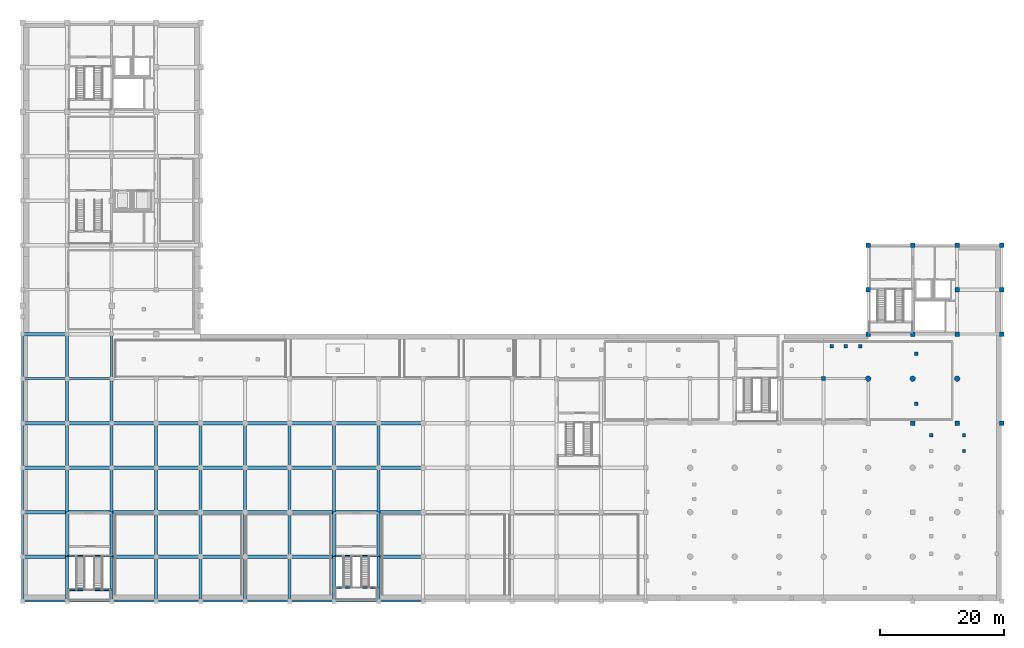
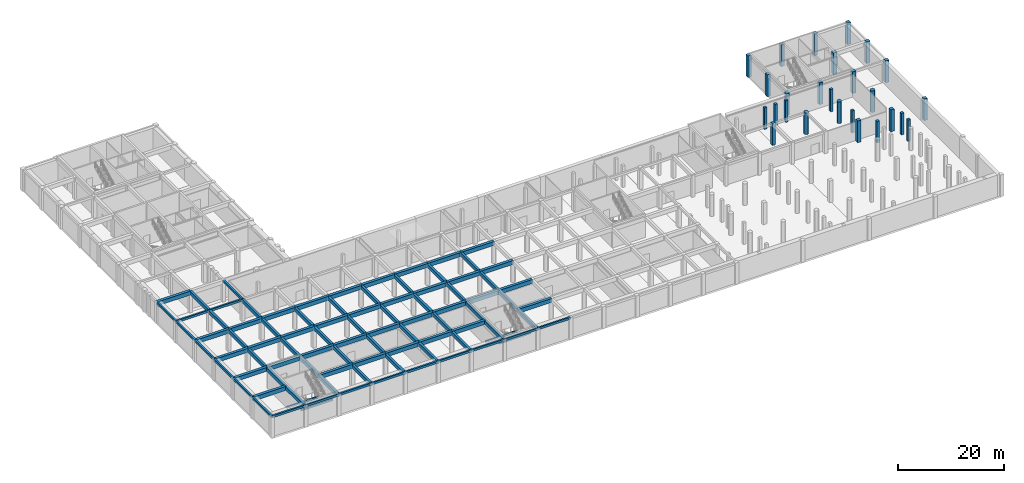
# One storey, part 2 of 15: 92 beams, 26 columns.
"""IFC4 building model written with IfcOpenShell, lengths in metres."""

from ifc_helpers import new_model, si_unit, direction, frame, origin, origin_2d, place, context, subcontext, project, spatial, rectangle, circle, extrude, material, material_profile, profile_set, type_object, element, save


model = new_model("IFC4")

# Units and contexts
model_context = context("Model", 3, precision=1e-05, world=origin(), true_north=direction((0.0, 1.0)))
body_context = subcontext(model_context, "Body", "Model", "MODEL_VIEW")
ifc_project = project(units=[si_unit("LENGTHUNIT", "METRE"), si_unit("AREAUNIT", "SQUARE_METRE"), si_unit("VOLUMEUNIT", "CUBIC_METRE"), si_unit("PLANEANGLEUNIT", "RADIAN"), si_unit("MASSUNIT", "GRAM", prefix="KILO")], contexts=[model_context])

# Site, building, storey
site_placement = place(None, origin())
site = spatial("IfcSite", under=ifc_project, at=site_placement, CompositionType="ELEMENT")
building_placement = place(site_placement, origin())
building = spatial("IfcBuilding", under=site, at=building_placement, Name="Leyfeld Transit Interchange", CompositionType="ELEMENT")
storey_placement = place(building_placement, frame((0.0, 0.0, -5.39990234375)))
storey = spatial("IfcBuildingStorey", under=building, at=storey_placement, Name="B01", CompositionType="ELEMENT", Elevation=-5.39990234375)

# Columns
ifc_material_1 = material(Name="Concrete C35/45", Category="concrete")
ifc_material_profile_1 = material_profile(ifc_material_1, rectangle(XDim=0.550048828125, YDim=0.550048828125, at=origin_2d()), Name="RC 550x550")
ifc_profile_set_1 = profile_set([ifc_material_profile_1], Name="Concrete C35/45")
column_type_1 = type_object("IfcColumnType", Name="COL-RC-550", PredefinedType="COLUMN", material=ifc_profile_set_1)
for number, where, z_axis, x_axis, name in (
    (1, (144.575927734375, 46.367919921875, 0.0), (0.0, 0.0, 1.0), (1.0, 0.0, 0.0), "Plaza Support Column B01 014"),
    (2, (144.575927734375, 54.431884765625, 0.0), (0.0, 0.0, 1.0), (1.0, 0.0, 0.0), "Plaza Support Column B01 015"),
):
    element("IfcColumn", number, at=place(storey_placement, frame(where, z_axis=z_axis, x_axis=x_axis)), inside=storey, type_object=column_type_1, Name=name, PredefinedType="COLUMN", context=body_context, shape_type="SweptSolid", body=[
        extrude(rectangle(XDim=0.550048828125, YDim=0.550048828125, at=origin_2d()), origin(), (0.0, 0.0, 1.0), 5.099853515625),
    ])
for number, where, z_axis, x_axis, name in (
    (3, (130.89599609375, 55.635986328125, 0.0), (0.0, 0.0, 1.0), (1.0, 0.0, 0.0), "Plaza Support Column B01 036"),
    (4, (133.199951171875, 55.635986328125, 0.0), (0.0, 0.0, 1.0), (1.0, 0.0, 0.0), "Plaza Support Column B01 037"),
    (5, (135.50390625, 55.635986328125, 0.0), (0.0, 0.0, 1.0), (1.0, 0.0, 0.0), "Plaza Support Column B01 038"),
    (6, (146.988037109375, 41.219970703125, 0.0), (0.0, 0.0, 1.0), (1.0, 0.0, 0.0), "Plaza Support Column B01 044"),
    (7, (152.300048828125, 38.699951171875, 0.0), (0.0, 0.0, 1.0), (1.0, 0.0, 0.0), "Plaza Support Column B01 045"),
    (8, (152.300048828125, 41.219970703125, 0.0), (0.0, 0.0, 1.0), (1.0, 0.0, 0.0), "Plaza Support Column B01 046"),
):
    element("IfcColumn", number, at=place(storey_placement, frame(where, z_axis=z_axis, x_axis=x_axis)), inside=storey, type_object=column_type_1, Name=name, PredefinedType="COLUMN", context=body_context, shape_type="SweptSolid", body=[
        extrude(rectangle(XDim=0.550048828125, YDim=0.550048828125, at=origin_2d()), origin(), (0.0, 0.0, 1.0), 4.949951171875),
    ])
ifc_material_profile_2 = material_profile(ifc_material_1, rectangle(XDim=0.64990234375, YDim=0.64990234375, at=origin_2d()), Name="RC 650x650")
ifc_profile_set_2 = profile_set([ifc_material_profile_2], Name="Concrete C35/45")
column_type_2 = type_object("IfcColumnType", Name="COL-RC-650", PredefinedType="COLUMN", material=ifc_profile_set_2)
column_placement = place(storey_placement, frame((129.60009765625, 50.39990234375, 0.0), z_axis=(0.0, 0.0, 1.0), x_axis=(1.0, 0.0, 0.0)))
element("IfcColumn", 9, at=column_placement, inside=storey, type_object=column_type_2, Name="Column COL-B01-1296_0504", PredefinedType="COLUMN", context=body_context, shape_type="SweptSolid", body=[
    extrude(rectangle(XDim=0.64990234375, YDim=0.64990234375, at=origin_2d()), origin(), (0.0, 0.0, 1.0), 5.039794921875),
])
ifc_material_profile_3 = material_profile(ifc_material_1, rectangle(XDim=0.75, YDim=0.75, at=origin_2d()), Name="RC 750x750")
ifc_profile_set_3 = profile_set([ifc_material_profile_3], Name="Concrete C35/45")
column_type_3 = type_object("IfcColumnType", Name="COL-RC-750", PredefinedType="COLUMN", material=ifc_profile_set_3)
for number, where, z_axis, x_axis, name in (
    (10, (136.800048828125, 57.60009765625, 0.0), (0.0, 0.0, 1.0), (1.0, 0.0, 0.0), "Column COL-B01-1368_0576"),
    (11, (136.800048828125, 64.800048828125, 0.0), (0.0, 0.0, 1.0), (1.0, 0.0, 0.0), "Column COL-B01-1368_0648"),
    (12, (136.800048828125, 72.0, 0.0), (0.0, 0.0, 1.0), (1.0, 0.0, 0.0), "Column COL-B01-1368_0720"),
    (13, (144.0, 43.199951171875, 0.0), (0.0, 0.0, 1.0), (1.0, 0.0, 0.0), "Column COL-B01-1440_0432"),
    (14, (144.0, 57.60009765625, 0.0), (0.0, 0.0, 1.0), (1.0, 0.0, 0.0), "Column COL-B01-1440_0576"),
    (15, (144.0, 72.0, 0.0), (0.0, 0.0, 1.0), (1.0, 0.0, 0.0), "Column COL-B01-1440_0720"),
    (16, (151.199951171875, 43.199951171875, 0.0), (0.0, 0.0, 1.0), (1.0, 0.0, 0.0), "Column COL-B01-1512_0432"),
    (17, (151.199951171875, 57.60009765625, 0.0), (0.0, 0.0, 1.0), (1.0, 0.0, 0.0), "Column COL-B01-1512_0576"),
    (18, (151.199951171875, 64.800048828125, 0.0), (0.0, 0.0, 1.0), (1.0, 0.0, 0.0), "Column COL-B01-1512_0648"),
    (19, (151.199951171875, 72.0, 0.0), (0.0, 0.0, 1.0), (1.0, 0.0, 0.0), "Column COL-B01-1512_0720"),
    (20, (158.39990234375, 43.199951171875, 0.0), (0.0, 0.0, 1.0), (1.0, 0.0, 0.0), "Column COL-B01-1584_0432"),
    (21, (158.39990234375, 57.60009765625, 0.0), (0.0, 0.0, 1.0), (1.0, 0.0, 0.0), "Column COL-B01-1584_0576"),
    (22, (158.39990234375, 64.800048828125, 0.0), (0.0, 0.0, 1.0), (1.0, 0.0, 0.0), "Column COL-B01-1584_0648"),
    (23, (158.39990234375, 72.0, 0.0), (0.0, 0.0, 1.0), (1.0, 0.0, 0.0), "Column COL-B01-1584_0720"),
):
    element("IfcColumn", number, at=place(storey_placement, frame(where, z_axis=z_axis, x_axis=x_axis)), inside=storey, type_object=column_type_3, Name=name, PredefinedType="COLUMN", context=body_context, shape_type="SweptSolid", body=[
        extrude(rectangle(XDim=0.75, YDim=0.75, at=origin_2d()), origin(), (0.0, 0.0, 1.0), 5.0),
    ])
ifc_material_2 = material(Name="Concrete C40/50", Category="concrete")
ifc_material_profile_4 = material_profile(ifc_material_2, circle(Radius=0.449951171875, at=origin_2d()), Name="RC D900")
ifc_profile_set_4 = profile_set([ifc_material_profile_4], Name="Concrete C40/50")
column_type_4 = type_object("IfcColumnType", Name="COL-RC-D900", PredefinedType="COLUMN", material=ifc_profile_set_4)
for number, where, z_axis, x_axis, name in (
    (24, (136.800048828125, 50.39990234375, 0.0), (0.0, 0.0, 1.0), (1.0, 0.0, 0.0), "Column COL-B01-1368_0504"),
    (25, (144.0, 50.39990234375, 0.0), (0.0, 0.0, 1.0), (1.0, 0.0, 0.0), "Column COL-B01-1440_0504"),
    (26, (151.199951171875, 50.39990234375, 0.0), (0.0, 0.0, 1.0), (1.0, 0.0, 0.0), "Column COL-B01-1512_0504"),
):
    element("IfcColumn", number, at=place(storey_placement, frame(where, z_axis=z_axis, x_axis=x_axis)), inside=storey, type_object=column_type_4, Name=name, PredefinedType="COLUMN", context=body_context, shape_type="SweptSolid", body=[
        extrude(circle(Radius=0.449951171875, at=origin_2d()), origin(), (0.0, 0.0, 1.0), 5.0),
    ])

# Beams
ifc_material_profile_5 = material_profile(ifc_material_1, rectangle(XDim=0.300048828125, YDim=0.39990234375, at=origin_2d()), Name="RC 400x300")
ifc_profile_set_5 = profile_set([ifc_material_profile_5], Name="Concrete C35/45")
beam_type_1 = type_object("IfcBeamType", Name="BM-RC-400x300", PredefinedType="LINTEL", material=ifc_profile_set_5)
for number, where, z_axis, x_axis, name in (
    (27, (7.340087890625, 21.699951171875, -0.2001953125), (1.0, 0.0, 0.0), (0.0, 1.0, 0.0), "Core K6 Floor Landing Corbel B01"),
    (28, (7.340087890625, 16.260009765625, 2.5), (1.0, 0.0, 0.0), (0.0, 1.0, 0.0), "Stair ST-06 B01 Half-Landing Corbel"),
):
    element("IfcBeam", number, at=place(storey_placement, frame(where, z_axis=z_axis, x_axis=x_axis)), inside=storey, type_object=beam_type_1, Name=name, PredefinedType="LINTEL", context=body_context, shape_type="SweptSolid", body=[
        extrude(rectangle(XDim=0.300048828125, YDim=0.39990234375, at=origin_2d()), origin(), (0.0, 0.0, 1.0), 6.919921875),
    ])
for number, where, z_axis, x_axis, name in (
    (29, (50.56494140625, 21.699951171875, -0.2001953125), (1.0, 0.0, 0.0), (0.0, 1.0, 0.0), "Core K8 Floor Landing Corbel B01"),
    (30, (50.56494140625, 16.60009765625, 2.5), (1.0, 0.0, 0.0), (0.0, 1.0, 0.0), "Stair ST-08 B01 Half-Landing Corbel"),
):
    element("IfcBeam", number, at=place(storey_placement, frame(where, z_axis=z_axis, x_axis=x_axis)), inside=storey, type_object=beam_type_1, Name=name, PredefinedType="LINTEL", context=body_context, shape_type="SweptSolid", body=[
        extrude(rectangle(XDim=0.300048828125, YDim=0.39990234375, at=origin_2d()), origin(), (0.0, 0.0, 1.0), 6.8701171875),
    ])
ifc_material_profile_6 = material_profile(ifc_material_1, rectangle(XDim=0.35009765625, YDim=0.5, at=origin_2d()), Name="RC 500x350")
ifc_profile_set_6 = profile_set([ifc_material_profile_6], Name="Concrete C35/45")
beam_type_2 = type_object("IfcBeamType", Name="BM-RC-500x350", PredefinedType="SPANDREL", material=ifc_profile_set_6)
beam_1_placement = place(storey_placement, frame((0.0, 14.39990234375, 4.699951171875), z_axis=(0.0, 1.0, 0.0), x_axis=(-1.0, 0.0, 0.0)))
element("IfcBeam", 31, at=beam_1_placement, inside=storey, type_object=beam_type_2, Name="Beam BM-B01-0000_0144-0000_0216", PredefinedType="SPANDREL", context=body_context, shape_type="SweptSolid", body=[
    extrude(rectangle(XDim=0.35009765625, YDim=0.5, at=origin_2d()), origin(), (0.0, 0.0, 1.0), 7.2001953125),
])
for number, where, z_axis, x_axis, name in (
    (32, (0.0, 21.60009765625, 4.699951171875), (0.0, 1.0, 0.0), (-1.0, 0.0, 0.0), "Beam BM-B01-0000_0216-0000_0288"),
    (33, (0.0, 28.800048828125, 4.699951171875), (0.0, 1.0, 0.0), (-1.0, 0.0, 0.0), "Beam BM-B01-0000_0288-0000_0360"),
    (34, (0.0, 36.0, 4.699951171875), (0.0, 1.0, 0.0), (-1.0, 0.0, 0.0), "Beam BM-B01-0000_0360-0000_0432"),
    (35, (0.0, 43.199951171875, 4.699951171875), (0.0, 1.0, 0.0), (-1.0, 0.0, 0.0), "Beam BM-B01-0000_0432-0000_0504"),
    (36, (0.0, 14.39990234375, 4.699951171875), (1.0, 0.0, 0.0), (0.0, 1.0, 0.0), "Beam BM-B01-0000_0144-0072_0144"),
    (37, (7.199951171875, 14.39990234375, 4.699951171875), (1.0, 0.0, 0.0), (0.0, 1.0, 0.0), "Beam BM-B01-0072_0144-0144_0144"),
):
    element("IfcBeam", number, at=place(storey_placement, frame(where, z_axis=z_axis, x_axis=x_axis)), inside=storey, type_object=beam_type_2, Name=name, PredefinedType="SPANDREL", context=body_context, shape_type="SweptSolid", body=[
        extrude(rectangle(XDim=0.35009765625, YDim=0.5, at=origin_2d()), origin(), (0.0, 0.0, 1.0), 7.199951171875),
    ])
beam_2_placement = place(storey_placement, frame((14.39990234375, 14.39990234375, 4.699951171875), z_axis=(1.0, 0.0, 0.0), x_axis=(0.0, 1.0, 0.0)))
element("IfcBeam", 38, at=beam_2_placement, inside=storey, type_object=beam_type_2, Name="Beam BM-B01-0144_0144-0216_0144", PredefinedType="SPANDREL", context=body_context, shape_type="SweptSolid", body=[
    extrude(rectangle(XDim=0.35009765625, YDim=0.5, at=origin_2d()), origin(), (0.0, 0.0, 1.0), 7.2001953125),
])
for number, where, z_axis, x_axis, name in (
    (39, (21.60009765625, 14.39990234375, 4.699951171875), (1.0, 0.0, 0.0), (0.0, 1.0, 0.0), "Beam BM-B01-0216_0144-0288_0144"),
    (40, (28.800048828125, 14.39990234375, 4.699951171875), (1.0, 0.0, 0.0), (0.0, 1.0, 0.0), "Beam BM-B01-0288_0144-0360_0144"),
    (41, (36.0, 14.39990234375, 4.699951171875), (1.0, 0.0, 0.0), (0.0, 1.0, 0.0), "Beam BM-B01-0360_0144-0432_0144"),
    (42, (43.199951171875, 14.39990234375, 4.699951171875), (1.0, 0.0, 0.0), (0.0, 1.0, 0.0), "Beam BM-B01-0432_0144-0504_0144"),
):
    element("IfcBeam", number, at=place(storey_placement, frame(where, z_axis=z_axis, x_axis=x_axis)), inside=storey, type_object=beam_type_2, Name=name, PredefinedType="SPANDREL", context=body_context, shape_type="SweptSolid", body=[
        extrude(rectangle(XDim=0.35009765625, YDim=0.5, at=origin_2d()), origin(), (0.0, 0.0, 1.0), 7.199951171875),
    ])
beam_3_placement = place(storey_placement, frame((50.39990234375, 14.39990234375, 4.699951171875), z_axis=(1.0, 0.0, 0.0), x_axis=(0.0, 1.0, 0.0)))
element("IfcBeam", 43, at=beam_3_placement, inside=storey, type_object=beam_type_2, Name="Beam BM-B01-0504_0144-0576_0144", PredefinedType="SPANDREL", context=body_context, shape_type="SweptSolid", body=[
    extrude(rectangle(XDim=0.35009765625, YDim=0.5, at=origin_2d()), origin(), (0.0, 0.0, 1.0), 7.2001953125),
])
for number, where, z_axis, x_axis, name in (
    (44, (57.60009765625, 14.39990234375, 4.699951171875), (1.0, 0.0, 0.0), (0.0, 1.0, 0.0), "Beam BM-B01-0576_0144-0648_0144"),
    (45, (0.0, 50.39990234375, 4.699951171875), (1.0, 0.0, 0.0), (0.0, 1.0, 0.0), "Beam BM-B01-0000_0504-0072_0504"),
    (46, (7.199951171875, 50.39990234375, 4.699951171875), (1.0, 0.0, 0.0), (0.0, 1.0, 0.0), "Beam BM-B01-0072_0504-0144_0504"),
):
    element("IfcBeam", number, at=place(storey_placement, frame(where, z_axis=z_axis, x_axis=x_axis)), inside=storey, type_object=beam_type_2, Name=name, PredefinedType="SPANDREL", context=body_context, shape_type="SweptSolid", body=[
        extrude(rectangle(XDim=0.35009765625, YDim=0.5, at=origin_2d()), origin(), (0.0, 0.0, 1.0), 7.199951171875),
    ])
for number, where, z_axis, x_axis, name in (
    (47, (0.0, 50.39990234375, 4.699951171875), (0.0, 1.0, 0.0), (-1.0, 0.0, 0.0), "Beam BM-B01-0000_0504-0000_0576"),
    (48, (14.39990234375, 50.39990234375, 4.699951171875), (0.0, 1.0, 0.0), (-1.0, 0.0, 0.0), "Beam BM-B01-0144_0504-0144_0576"),
):
    element("IfcBeam", number, at=place(storey_placement, frame(where, z_axis=z_axis, x_axis=x_axis)), inside=storey, type_object=beam_type_2, Name=name, PredefinedType="SPANDREL", context=body_context, shape_type="SweptSolid", body=[
        extrude(rectangle(XDim=0.35009765625, YDim=0.5, at=origin_2d()), origin(), (0.0, 0.0, 1.0), 7.2001953125),
    ])
ifc_material_profile_7 = material_profile(ifc_material_1, rectangle(XDim=0.5, YDim=0.800048828125, at=origin_2d()), Name="RC 800x500")
ifc_profile_set_7 = profile_set([ifc_material_profile_7], Name="Concrete C35/45")
beam_type_3 = type_object("IfcBeamType", Name="BM-RC-800x500", PredefinedType="JOIST", material=ifc_profile_set_7)
beam_4_placement = place(storey_placement, frame((7.199951171875, 14.39990234375, 4.5498046875), z_axis=(0.0, 1.0, 0.0), x_axis=(-1.0, 0.0, 0.0)))
element("IfcBeam", 49, at=beam_4_placement, inside=storey, type_object=beam_type_3, Name="Beam BM-B01-0072_0144-0072_0216", PredefinedType="JOIST", context=body_context, shape_type="SweptSolid", body=[
    extrude(rectangle(XDim=0.5, YDim=0.800048828125, at=origin_2d()), origin(), (0.0, 0.0, 1.0), 7.2001953125),
])
for number, where, z_axis, x_axis, name in (
    (50, (7.199951171875, 21.60009765625, 4.5498046875), (0.0, 1.0, 0.0), (-1.0, 0.0, 0.0), "Beam BM-B01-0072_0216-0072_0288"),
    (51, (7.199951171875, 28.800048828125, 4.5498046875), (0.0, 1.0, 0.0), (-1.0, 0.0, 0.0), "Beam BM-B01-0072_0288-0072_0360"),
    (52, (7.199951171875, 36.0, 4.5498046875), (0.0, 1.0, 0.0), (-1.0, 0.0, 0.0), "Beam BM-B01-0072_0360-0072_0432"),
    (53, (7.199951171875, 43.199951171875, 4.5498046875), (0.0, 1.0, 0.0), (-1.0, 0.0, 0.0), "Beam BM-B01-0072_0432-0072_0504"),
):
    element("IfcBeam", number, at=place(storey_placement, frame(where, z_axis=z_axis, x_axis=x_axis)), inside=storey, type_object=beam_type_3, Name=name, PredefinedType="JOIST", context=body_context, shape_type="SweptSolid", body=[
        extrude(rectangle(XDim=0.5, YDim=0.800048828125, at=origin_2d()), origin(), (0.0, 0.0, 1.0), 7.199951171875),
    ])
beam_5_placement = place(storey_placement, frame((14.39990234375, 14.39990234375, 4.5498046875), z_axis=(0.0, 1.0, 0.0), x_axis=(-1.0, 0.0, 0.0)))
element("IfcBeam", 54, at=beam_5_placement, inside=storey, type_object=beam_type_3, Name="Beam BM-B01-0144_0144-0144_0216", PredefinedType="JOIST", context=body_context, shape_type="SweptSolid", body=[
    extrude(rectangle(XDim=0.5, YDim=0.800048828125, at=origin_2d()), origin(), (0.0, 0.0, 1.0), 7.2001953125),
])
for number, where, z_axis, x_axis, name in (
    (55, (14.39990234375, 21.60009765625, 4.5498046875), (0.0, 1.0, 0.0), (-1.0, 0.0, 0.0), "Beam BM-B01-0144_0216-0144_0288"),
    (56, (14.39990234375, 28.800048828125, 4.5498046875), (0.0, 1.0, 0.0), (-1.0, 0.0, 0.0), "Beam BM-B01-0144_0288-0144_0360"),
    (57, (14.39990234375, 36.0, 4.5498046875), (0.0, 1.0, 0.0), (-1.0, 0.0, 0.0), "Beam BM-B01-0144_0360-0144_0432"),
    (58, (14.39990234375, 43.199951171875, 4.5498046875), (0.0, 1.0, 0.0), (-1.0, 0.0, 0.0), "Beam BM-B01-0144_0432-0144_0504"),
):
    element("IfcBeam", number, at=place(storey_placement, frame(where, z_axis=z_axis, x_axis=x_axis)), inside=storey, type_object=beam_type_3, Name=name, PredefinedType="JOIST", context=body_context, shape_type="SweptSolid", body=[
        extrude(rectangle(XDim=0.5, YDim=0.800048828125, at=origin_2d()), origin(), (0.0, 0.0, 1.0), 7.199951171875),
    ])
beam_6_placement = place(storey_placement, frame((21.60009765625, 14.39990234375, 4.5498046875), z_axis=(0.0, 1.0, 0.0), x_axis=(-1.0, 0.0, 0.0)))
element("IfcBeam", 59, at=beam_6_placement, inside=storey, type_object=beam_type_3, Name="Beam BM-B01-0216_0144-0216_0216", PredefinedType="JOIST", context=body_context, shape_type="SweptSolid", body=[
    extrude(rectangle(XDim=0.5, YDim=0.800048828125, at=origin_2d()), origin(), (0.0, 0.0, 1.0), 7.2001953125),
])
for number, where, z_axis, x_axis, name in (
    (60, (21.60009765625, 21.60009765625, 4.5498046875), (0.0, 1.0, 0.0), (-1.0, 0.0, 0.0), "Beam BM-B01-0216_0216-0216_0288"),
    (61, (21.60009765625, 28.800048828125, 4.5498046875), (0.0, 1.0, 0.0), (-1.0, 0.0, 0.0), "Beam BM-B01-0216_0288-0216_0360"),
    (62, (21.60009765625, 36.0, 4.5498046875), (0.0, 1.0, 0.0), (-1.0, 0.0, 0.0), "Beam BM-B01-0216_0360-0216_0432"),
):
    element("IfcBeam", number, at=place(storey_placement, frame(where, z_axis=z_axis, x_axis=x_axis)), inside=storey, type_object=beam_type_3, Name=name, PredefinedType="JOIST", context=body_context, shape_type="SweptSolid", body=[
        extrude(rectangle(XDim=0.5, YDim=0.800048828125, at=origin_2d()), origin(), (0.0, 0.0, 1.0), 7.199951171875),
    ])
beam_7_placement = place(storey_placement, frame((28.800048828125, 14.39990234375, 4.5498046875), z_axis=(0.0, 1.0, 0.0), x_axis=(-1.0, 0.0, 0.0)))
element("IfcBeam", 63, at=beam_7_placement, inside=storey, type_object=beam_type_3, Name="Beam BM-B01-0288_0144-0288_0216", PredefinedType="JOIST", context=body_context, shape_type="SweptSolid", body=[
    extrude(rectangle(XDim=0.5, YDim=0.800048828125, at=origin_2d()), origin(), (0.0, 0.0, 1.0), 7.2001953125),
])
for number, where, z_axis, x_axis, name in (
    (64, (28.800048828125, 21.60009765625, 4.5498046875), (0.0, 1.0, 0.0), (-1.0, 0.0, 0.0), "Beam BM-B01-0288_0216-0288_0288"),
    (65, (28.800048828125, 28.800048828125, 4.5498046875), (0.0, 1.0, 0.0), (-1.0, 0.0, 0.0), "Beam BM-B01-0288_0288-0288_0360"),
    (66, (28.800048828125, 36.0, 4.5498046875), (0.0, 1.0, 0.0), (-1.0, 0.0, 0.0), "Beam BM-B01-0288_0360-0288_0432"),
):
    element("IfcBeam", number, at=place(storey_placement, frame(where, z_axis=z_axis, x_axis=x_axis)), inside=storey, type_object=beam_type_3, Name=name, PredefinedType="JOIST", context=body_context, shape_type="SweptSolid", body=[
        extrude(rectangle(XDim=0.5, YDim=0.800048828125, at=origin_2d()), origin(), (0.0, 0.0, 1.0), 7.199951171875),
    ])
beam_8_placement = place(storey_placement, frame((36.0, 14.39990234375, 4.5498046875), z_axis=(0.0, 1.0, 0.0), x_axis=(-1.0, 0.0, 0.0)))
element("IfcBeam", 67, at=beam_8_placement, inside=storey, type_object=beam_type_3, Name="Beam BM-B01-0360_0144-0360_0216", PredefinedType="JOIST", context=body_context, shape_type="SweptSolid", body=[
    extrude(rectangle(XDim=0.5, YDim=0.800048828125, at=origin_2d()), origin(), (0.0, 0.0, 1.0), 7.2001953125),
])
for number, where, z_axis, x_axis, name in (
    (68, (36.0, 21.60009765625, 4.5498046875), (0.0, 1.0, 0.0), (-1.0, 0.0, 0.0), "Beam BM-B01-0360_0216-0360_0288"),
    (69, (36.0, 28.800048828125, 4.5498046875), (0.0, 1.0, 0.0), (-1.0, 0.0, 0.0), "Beam BM-B01-0360_0288-0360_0360"),
    (70, (36.0, 36.0, 4.5498046875), (0.0, 1.0, 0.0), (-1.0, 0.0, 0.0), "Beam BM-B01-0360_0360-0360_0432"),
):
    element("IfcBeam", number, at=place(storey_placement, frame(where, z_axis=z_axis, x_axis=x_axis)), inside=storey, type_object=beam_type_3, Name=name, PredefinedType="JOIST", context=body_context, shape_type="SweptSolid", body=[
        extrude(rectangle(XDim=0.5, YDim=0.800048828125, at=origin_2d()), origin(), (0.0, 0.0, 1.0), 7.199951171875),
    ])
beam_9_placement = place(storey_placement, frame((43.199951171875, 14.39990234375, 4.5498046875), z_axis=(0.0, 1.0, 0.0), x_axis=(-1.0, 0.0, 0.0)))
element("IfcBeam", 71, at=beam_9_placement, inside=storey, type_object=beam_type_3, Name="Beam BM-B01-0432_0144-0432_0216", PredefinedType="JOIST", context=body_context, shape_type="SweptSolid", body=[
    extrude(rectangle(XDim=0.5, YDim=0.800048828125, at=origin_2d()), origin(), (0.0, 0.0, 1.0), 7.2001953125),
])
for number, where, z_axis, x_axis, name in (
    (72, (43.199951171875, 21.60009765625, 4.5498046875), (0.0, 1.0, 0.0), (-1.0, 0.0, 0.0), "Beam BM-B01-0432_0216-0432_0288"),
    (73, (43.199951171875, 28.800048828125, 4.5498046875), (0.0, 1.0, 0.0), (-1.0, 0.0, 0.0), "Beam BM-B01-0432_0288-0432_0360"),
    (74, (43.199951171875, 36.0, 4.5498046875), (0.0, 1.0, 0.0), (-1.0, 0.0, 0.0), "Beam BM-B01-0432_0360-0432_0432"),
):
    element("IfcBeam", number, at=place(storey_placement, frame(where, z_axis=z_axis, x_axis=x_axis)), inside=storey, type_object=beam_type_3, Name=name, PredefinedType="JOIST", context=body_context, shape_type="SweptSolid", body=[
        extrude(rectangle(XDim=0.5, YDim=0.800048828125, at=origin_2d()), origin(), (0.0, 0.0, 1.0), 7.199951171875),
    ])
beam_10_placement = place(storey_placement, frame((50.39990234375, 14.39990234375, 4.5498046875), z_axis=(0.0, 1.0, 0.0), x_axis=(-1.0, 0.0, 0.0)))
element("IfcBeam", 75, at=beam_10_placement, inside=storey, type_object=beam_type_3, Name="Beam BM-B01-0504_0144-0504_0216", PredefinedType="JOIST", context=body_context, shape_type="SweptSolid", body=[
    extrude(rectangle(XDim=0.5, YDim=0.800048828125, at=origin_2d()), origin(), (0.0, 0.0, 1.0), 7.2001953125),
])
for number, where, z_axis, x_axis, name in (
    (76, (50.39990234375, 21.60009765625, 4.5498046875), (0.0, 1.0, 0.0), (-1.0, 0.0, 0.0), "Beam BM-B01-0504_0216-0504_0288"),
    (77, (50.39990234375, 28.800048828125, 4.5498046875), (0.0, 1.0, 0.0), (-1.0, 0.0, 0.0), "Beam BM-B01-0504_0288-0504_0360"),
    (78, (50.39990234375, 36.0, 4.5498046875), (0.0, 1.0, 0.0), (-1.0, 0.0, 0.0), "Beam BM-B01-0504_0360-0504_0432"),
):
    element("IfcBeam", number, at=place(storey_placement, frame(where, z_axis=z_axis, x_axis=x_axis)), inside=storey, type_object=beam_type_3, Name=name, PredefinedType="JOIST", context=body_context, shape_type="SweptSolid", body=[
        extrude(rectangle(XDim=0.5, YDim=0.800048828125, at=origin_2d()), origin(), (0.0, 0.0, 1.0), 7.199951171875),
    ])
beam_11_placement = place(storey_placement, frame((57.60009765625, 14.39990234375, 4.5498046875), z_axis=(0.0, 1.0, 0.0), x_axis=(-1.0, 0.0, 0.0)))
element("IfcBeam", 79, at=beam_11_placement, inside=storey, type_object=beam_type_3, Name="Beam BM-B01-0576_0144-0576_0216", PredefinedType="JOIST", context=body_context, shape_type="SweptSolid", body=[
    extrude(rectangle(XDim=0.5, YDim=0.800048828125, at=origin_2d()), origin(), (0.0, 0.0, 1.0), 7.2001953125),
])
for number, where, z_axis, x_axis, name in (
    (80, (57.60009765625, 21.60009765625, 4.5498046875), (0.0, 1.0, 0.0), (-1.0, 0.0, 0.0), "Beam BM-B01-0576_0216-0576_0288"),
    (81, (57.60009765625, 28.800048828125, 4.5498046875), (0.0, 1.0, 0.0), (-1.0, 0.0, 0.0), "Beam BM-B01-0576_0288-0576_0360"),
    (82, (57.60009765625, 36.0, 4.5498046875), (0.0, 1.0, 0.0), (-1.0, 0.0, 0.0), "Beam BM-B01-0576_0360-0576_0432"),
):
    element("IfcBeam", number, at=place(storey_placement, frame(where, z_axis=z_axis, x_axis=x_axis)), inside=storey, type_object=beam_type_3, Name=name, PredefinedType="JOIST", context=body_context, shape_type="SweptSolid", body=[
        extrude(rectangle(XDim=0.5, YDim=0.800048828125, at=origin_2d()), origin(), (0.0, 0.0, 1.0), 7.199951171875),
    ])
beam_12_placement = place(storey_placement, frame((7.199951171875, 50.39990234375, 4.599853515625), z_axis=(0.0, 1.0, 0.0), x_axis=(-1.0, 0.0, 0.0)))
element("IfcBeam", 83, at=beam_12_placement, inside=storey, type_object=beam_type_3, Name="Beam BM-B01-0072_0504-0072_0576", PredefinedType="JOIST", context=body_context, shape_type="SweptSolid", body=[
    extrude(rectangle(XDim=0.5, YDim=0.800048828125, at=origin_2d()), origin(), (0.0, 0.0, 1.0), 7.2001953125),
])
ifc_material_profile_8 = material_profile(ifc_material_1, rectangle(XDim=0.60009765625, YDim=0.89990234375, at=origin_2d()), Name="RC 900x600")
ifc_profile_set_8 = profile_set([ifc_material_profile_8], Name="Concrete C35/45")
beam_type_4 = type_object("IfcBeamType", Name="BM-RC-900x600", PredefinedType="JOIST", material=ifc_profile_set_8)
beam_13_placement = place(storey_placement, frame((0.0, 21.60009765625, 4.5), z_axis=(1.0, 0.0, 0.0), x_axis=(0.0, 1.0, 0.0)))
element("IfcBeam", 84, at=beam_13_placement, inside=storey, type_object=beam_type_4, Name="Beam BM-B01-0000_0216-0072_0216", PredefinedType="JOIST", context=body_context, shape_type="SweptSolid", body=[
    extrude(rectangle(XDim=0.60009765625, YDim=0.89990234375, at=origin_2d()), origin(), (0.0, 0.0, 1.0), 7.199951171875),
])
beam_14_placement = place(storey_placement, frame((14.39990234375, 21.60009765625, 4.5), z_axis=(1.0, 0.0, 0.0), x_axis=(0.0, 1.0, 0.0)))
element("IfcBeam", 85, at=beam_14_placement, inside=storey, type_object=beam_type_4, Name="Beam BM-B01-0144_0216-0216_0216", PredefinedType="JOIST", context=body_context, shape_type="SweptSolid", body=[
    extrude(rectangle(XDim=0.60009765625, YDim=0.89990234375, at=origin_2d()), origin(), (0.0, 0.0, 1.0), 7.2001953125),
])
for number, where, z_axis, x_axis, name in (
    (86, (21.60009765625, 21.60009765625, 4.5), (1.0, 0.0, 0.0), (0.0, 1.0, 0.0), "Beam BM-B01-0216_0216-0288_0216"),
    (87, (28.800048828125, 21.60009765625, 4.5), (1.0, 0.0, 0.0), (0.0, 1.0, 0.0), "Beam BM-B01-0288_0216-0360_0216"),
    (88, (36.0, 21.60009765625, 4.5), (1.0, 0.0, 0.0), (0.0, 1.0, 0.0), "Beam BM-B01-0360_0216-0432_0216"),
    (89, (43.199951171875, 21.60009765625, 4.5), (1.0, 0.0, 0.0), (0.0, 1.0, 0.0), "Beam BM-B01-0432_0216-0504_0216"),
    (90, (57.60009765625, 21.60009765625, 4.5), (1.0, 0.0, 0.0), (0.0, 1.0, 0.0), "Beam BM-B01-0576_0216-0648_0216"),
    (91, (0.0, 28.800048828125, 4.5), (1.0, 0.0, 0.0), (0.0, 1.0, 0.0), "Beam BM-B01-0000_0288-0072_0288"),
    (92, (7.199951171875, 28.800048828125, 4.5), (1.0, 0.0, 0.0), (0.0, 1.0, 0.0), "Beam BM-B01-0072_0288-0144_0288"),
):
    element("IfcBeam", number, at=place(storey_placement, frame(where, z_axis=z_axis, x_axis=x_axis)), inside=storey, type_object=beam_type_4, Name=name, PredefinedType="JOIST", context=body_context, shape_type="SweptSolid", body=[
        extrude(rectangle(XDim=0.60009765625, YDim=0.89990234375, at=origin_2d()), origin(), (0.0, 0.0, 1.0), 7.199951171875),
    ])
beam_15_placement = place(storey_placement, frame((14.39990234375, 28.800048828125, 4.5), z_axis=(1.0, 0.0, 0.0), x_axis=(0.0, 1.0, 0.0)))
element("IfcBeam", 93, at=beam_15_placement, inside=storey, type_object=beam_type_4, Name="Beam BM-B01-0144_0288-0216_0288", PredefinedType="JOIST", context=body_context, shape_type="SweptSolid", body=[
    extrude(rectangle(XDim=0.60009765625, YDim=0.89990234375, at=origin_2d()), origin(), (0.0, 0.0, 1.0), 7.2001953125),
])
for number, where, z_axis, x_axis, name in (
    (94, (21.60009765625, 28.800048828125, 4.5), (1.0, 0.0, 0.0), (0.0, 1.0, 0.0), "Beam BM-B01-0216_0288-0288_0288"),
    (95, (28.800048828125, 28.800048828125, 4.5), (1.0, 0.0, 0.0), (0.0, 1.0, 0.0), "Beam BM-B01-0288_0288-0360_0288"),
    (96, (36.0, 28.800048828125, 4.5), (1.0, 0.0, 0.0), (0.0, 1.0, 0.0), "Beam BM-B01-0360_0288-0432_0288"),
    (97, (43.199951171875, 28.800048828125, 4.5), (1.0, 0.0, 0.0), (0.0, 1.0, 0.0), "Beam BM-B01-0432_0288-0504_0288"),
):
    element("IfcBeam", number, at=place(storey_placement, frame(where, z_axis=z_axis, x_axis=x_axis)), inside=storey, type_object=beam_type_4, Name=name, PredefinedType="JOIST", context=body_context, shape_type="SweptSolid", body=[
        extrude(rectangle(XDim=0.60009765625, YDim=0.89990234375, at=origin_2d()), origin(), (0.0, 0.0, 1.0), 7.199951171875),
    ])
beam_16_placement = place(storey_placement, frame((50.39990234375, 28.800048828125, 4.5), z_axis=(1.0, 0.0, 0.0), x_axis=(0.0, 1.0, 0.0)))
element("IfcBeam", 98, at=beam_16_placement, inside=storey, type_object=beam_type_4, Name="Beam BM-B01-0504_0288-0576_0288", PredefinedType="JOIST", context=body_context, shape_type="SweptSolid", body=[
    extrude(rectangle(XDim=0.60009765625, YDim=0.89990234375, at=origin_2d()), origin(), (0.0, 0.0, 1.0), 7.2001953125),
])
for number, where, z_axis, x_axis, name in (
    (99, (57.60009765625, 28.800048828125, 4.5), (1.0, 0.0, 0.0), (0.0, 1.0, 0.0), "Beam BM-B01-0576_0288-0648_0288"),
    (100, (0.0, 36.0, 4.5), (1.0, 0.0, 0.0), (0.0, 1.0, 0.0), "Beam BM-B01-0000_0360-0072_0360"),
    (101, (7.199951171875, 36.0, 4.5), (1.0, 0.0, 0.0), (0.0, 1.0, 0.0), "Beam BM-B01-0072_0360-0144_0360"),
):
    element("IfcBeam", number, at=place(storey_placement, frame(where, z_axis=z_axis, x_axis=x_axis)), inside=storey, type_object=beam_type_4, Name=name, PredefinedType="JOIST", context=body_context, shape_type="SweptSolid", body=[
        extrude(rectangle(XDim=0.60009765625, YDim=0.89990234375, at=origin_2d()), origin(), (0.0, 0.0, 1.0), 7.199951171875),
    ])
beam_17_placement = place(storey_placement, frame((14.39990234375, 36.0, 4.5), z_axis=(1.0, 0.0, 0.0), x_axis=(0.0, 1.0, 0.0)))
element("IfcBeam", 102, at=beam_17_placement, inside=storey, type_object=beam_type_4, Name="Beam BM-B01-0144_0360-0216_0360", PredefinedType="JOIST", context=body_context, shape_type="SweptSolid", body=[
    extrude(rectangle(XDim=0.60009765625, YDim=0.89990234375, at=origin_2d()), origin(), (0.0, 0.0, 1.0), 7.2001953125),
])
for number, where, z_axis, x_axis, name in (
    (103, (21.60009765625, 36.0, 4.5), (1.0, 0.0, 0.0), (0.0, 1.0, 0.0), "Beam BM-B01-0216_0360-0288_0360"),
    (104, (28.800048828125, 36.0, 4.5), (1.0, 0.0, 0.0), (0.0, 1.0, 0.0), "Beam BM-B01-0288_0360-0360_0360"),
    (105, (36.0, 36.0, 4.5), (1.0, 0.0, 0.0), (0.0, 1.0, 0.0), "Beam BM-B01-0360_0360-0432_0360"),
    (106, (43.199951171875, 36.0, 4.5), (1.0, 0.0, 0.0), (0.0, 1.0, 0.0), "Beam BM-B01-0432_0360-0504_0360"),
):
    element("IfcBeam", number, at=place(storey_placement, frame(where, z_axis=z_axis, x_axis=x_axis)), inside=storey, type_object=beam_type_4, Name=name, PredefinedType="JOIST", context=body_context, shape_type="SweptSolid", body=[
        extrude(rectangle(XDim=0.60009765625, YDim=0.89990234375, at=origin_2d()), origin(), (0.0, 0.0, 1.0), 7.199951171875),
    ])
beam_18_placement = place(storey_placement, frame((50.39990234375, 36.0, 4.5), z_axis=(1.0, 0.0, 0.0), x_axis=(0.0, 1.0, 0.0)))
element("IfcBeam", 107, at=beam_18_placement, inside=storey, type_object=beam_type_4, Name="Beam BM-B01-0504_0360-0576_0360", PredefinedType="JOIST", context=body_context, shape_type="SweptSolid", body=[
    extrude(rectangle(XDim=0.60009765625, YDim=0.89990234375, at=origin_2d()), origin(), (0.0, 0.0, 1.0), 7.2001953125),
])
for number, where, z_axis, x_axis, name in (
    (108, (57.60009765625, 36.0, 4.5), (1.0, 0.0, 0.0), (0.0, 1.0, 0.0), "Beam BM-B01-0576_0360-0648_0360"),
    (109, (0.0, 43.199951171875, 4.5), (1.0, 0.0, 0.0), (0.0, 1.0, 0.0), "Beam BM-B01-0000_0432-0072_0432"),
    (110, (7.199951171875, 43.199951171875, 4.5), (1.0, 0.0, 0.0), (0.0, 1.0, 0.0), "Beam BM-B01-0072_0432-0144_0432"),
):
    element("IfcBeam", number, at=place(storey_placement, frame(where, z_axis=z_axis, x_axis=x_axis)), inside=storey, type_object=beam_type_4, Name=name, PredefinedType="JOIST", context=body_context, shape_type="SweptSolid", body=[
        extrude(rectangle(XDim=0.60009765625, YDim=0.89990234375, at=origin_2d()), origin(), (0.0, 0.0, 1.0), 7.199951171875),
    ])
beam_19_placement = place(storey_placement, frame((14.39990234375, 43.199951171875, 4.5), z_axis=(1.0, 0.0, 0.0), x_axis=(0.0, 1.0, 0.0)))
element("IfcBeam", 111, at=beam_19_placement, inside=storey, type_object=beam_type_4, Name="Beam BM-B01-0144_0432-0216_0432", PredefinedType="JOIST", context=body_context, shape_type="SweptSolid", body=[
    extrude(rectangle(XDim=0.60009765625, YDim=0.89990234375, at=origin_2d()), origin(), (0.0, 0.0, 1.0), 7.2001953125),
])
for number, where, z_axis, x_axis, name in (
    (112, (21.60009765625, 43.199951171875, 4.5), (1.0, 0.0, 0.0), (0.0, 1.0, 0.0), "Beam BM-B01-0216_0432-0288_0432"),
    (113, (28.800048828125, 43.199951171875, 4.5), (1.0, 0.0, 0.0), (0.0, 1.0, 0.0), "Beam BM-B01-0288_0432-0360_0432"),
    (114, (36.0, 43.199951171875, 4.5), (1.0, 0.0, 0.0), (0.0, 1.0, 0.0), "Beam BM-B01-0360_0432-0432_0432"),
    (115, (43.199951171875, 43.199951171875, 4.5), (1.0, 0.0, 0.0), (0.0, 1.0, 0.0), "Beam BM-B01-0432_0432-0504_0432"),
):
    element("IfcBeam", number, at=place(storey_placement, frame(where, z_axis=z_axis, x_axis=x_axis)), inside=storey, type_object=beam_type_4, Name=name, PredefinedType="JOIST", context=body_context, shape_type="SweptSolid", body=[
        extrude(rectangle(XDim=0.60009765625, YDim=0.89990234375, at=origin_2d()), origin(), (0.0, 0.0, 1.0), 7.199951171875),
    ])
beam_20_placement = place(storey_placement, frame((50.39990234375, 43.199951171875, 4.5), z_axis=(1.0, 0.0, 0.0), x_axis=(0.0, 1.0, 0.0)))
element("IfcBeam", 116, at=beam_20_placement, inside=storey, type_object=beam_type_4, Name="Beam BM-B01-0504_0432-0576_0432", PredefinedType="JOIST", context=body_context, shape_type="SweptSolid", body=[
    extrude(rectangle(XDim=0.60009765625, YDim=0.89990234375, at=origin_2d()), origin(), (0.0, 0.0, 1.0), 7.2001953125),
])
for number, where, z_axis, x_axis, name in (
    (117, (57.60009765625, 43.199951171875, 4.5), (1.0, 0.0, 0.0), (0.0, 1.0, 0.0), "Beam BM-B01-0576_0432-0648_0432"),
    (118, (0.0, 57.60009765625, 4.5498046875), (1.0, 0.0, 0.0), (0.0, 1.0, 0.0), "Beam BM-B01-0000_0576-0072_0576"),
):
    element("IfcBeam", number, at=place(storey_placement, frame(where, z_axis=z_axis, x_axis=x_axis)), inside=storey, type_object=beam_type_4, Name=name, PredefinedType="JOIST", context=body_context, shape_type="SweptSolid", body=[
        extrude(rectangle(XDim=0.60009765625, YDim=0.89990234375, at=origin_2d()), origin(), (0.0, 0.0, 1.0), 7.199951171875),
    ])

save(model, "model.ifc")
